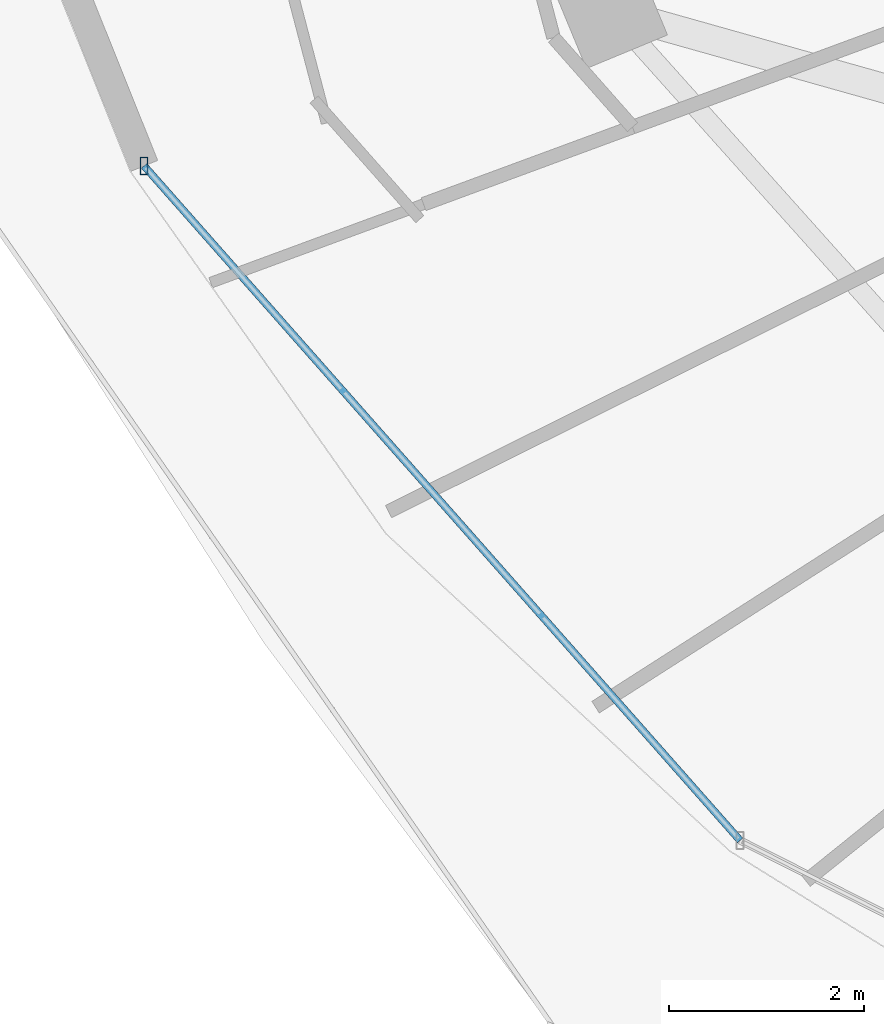
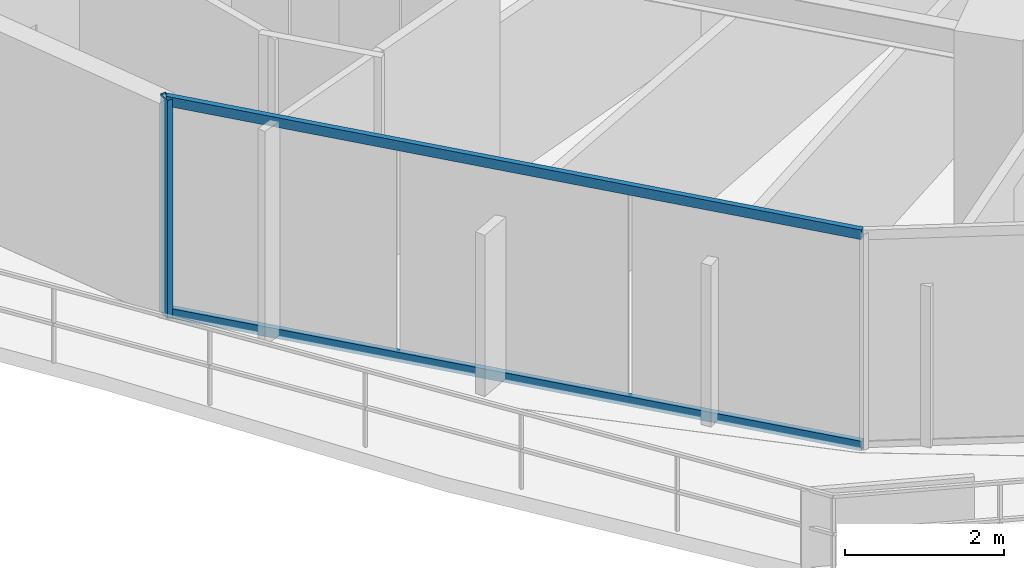
# One storey, part 3 of 33: 3 members, 1 element without a shape of its own.
"""IFC4 building model written with IfcOpenShell, lengths in metres."""

from ifc_helpers import new_model, si_unit, direction, frame, origin, origin_2d, place, context, subcontext, project, spatial, hollow_rectangle, extrude, material, material_profile, profile_set, type_object, element, aggregate, save


model = new_model("IFC4")

# Units and contexts
model_context = context("Model", 3, precision=1e-05, world=origin(), true_north=direction((0.0, 1.0)))
body_context = subcontext(model_context, "Body", "Model", "MODEL_VIEW")
ifc_project = project(units=[si_unit("LENGTHUNIT", "METRE"), si_unit("AREAUNIT", "SQUARE_METRE"), si_unit("VOLUMEUNIT", "CUBIC_METRE"), si_unit("PLANEANGLEUNIT", "RADIAN"), si_unit("MASSUNIT", "GRAM", prefix="KILO")], contexts=[model_context])

# Site, building, storey
site_placement = place(None, origin())
site = spatial("IfcSite", under=ifc_project, at=site_placement, CompositionType="ELEMENT")
building_placement = place(site_placement, origin())
building = spatial("IfcBuilding", under=site, at=building_placement, Name="Vorneva Point Tower", CompositionType="ELEMENT")
storey_placement = place(building_placement, frame((0.0, 0.0, 200.10009765625)))
storey = spatial("IfcBuildingStorey", under=building, at=storey_placement, Name="L54", CompositionType="ELEMENT", Elevation=200.10009765625)

# Curtain wall, members
ifc_material = material(Name="Pale anodised aluminium", Category="aluminium")
curtain_wall_type = type_object("IfcCurtainWallType", Name="CW-RES-SYS", PredefinedType="NOTDEFINED", material=ifc_material)
curtain_wall_placement = place(storey_placement, origin())
curtain_wall = element("IfcCurtainWall", 1, at=curtain_wall_placement, inside=storey, type_object=curtain_wall_type, Name="L54 Unitised Curtain Wall CW-L54-R03", PredefinedType="NOTDEFINED")
ifc_material_profile_1 = material_profile(ifc_material, hollow_rectangle(XDim=0.074951171875, YDim=0.179931640625, WallThickness=0.00390625, at=origin_2d()), Name="AL-MUL 180x75x4")
ifc_profile_set_1 = profile_set([ifc_material_profile_1], Name="Pale anodised aluminium")
member_type_1 = type_object("IfcMemberType", Name="CW-MUL-180", PredefinedType="MULLION", material=ifc_profile_set_1)
member_1_placement = place(storey_placement, frame((11.9189453125, 17.82958984375, -0.0400390625), z_axis=(0.0, 0.0, 1.0), x_axis=(1.0, 0.0, 0.0)))
member_1 = element("IfcMember", 2, at=member_1_placement, type_object=member_type_1, Name="CW-L54-R03 Mullion 01", PredefinedType="MULLION", context=body_context, shape_type="SweptSolid", body=[
    extrude(hollow_rectangle(XDim=0.074951171875, YDim=0.179931640625, WallThickness=0.00390625, at=origin_2d()), origin(), (0.0, 0.0, 1.0), 3.35986328125),
])
ifc_material_profile_2 = material_profile(ifc_material, hollow_rectangle(XDim=0.074951171875, YDim=0.14990234375, WallThickness=0.00390625, at=origin_2d()), Name="AL-TRN 150x75x4")
ifc_profile_set_2 = profile_set([ifc_material_profile_2], Name="Pale anodised aluminium")
member_type_2 = type_object("IfcMemberType", Name="CW-TRN-150", PredefinedType="USERDEFINED", material=ifc_profile_set_2)
member_2_placement = place(storey_placement, frame((11.9189453125, 17.82958984375, 0.02001953125), z_axis=(0.662106383869, -0.749409858782, 0.0), x_axis=(0.749409858782, 0.662106383869, 0.0)))
member_2 = element("IfcMember", 3, at=member_2_placement, type_object=member_type_2, Name="CW-L54-R03 Transom 01.1", ObjectType="TRANSOM", PredefinedType="USERDEFINED", context=body_context, shape_type="SweptSolid", body=[
    extrude(hollow_rectangle(XDim=0.074951171875, YDim=0.14990234375, WallThickness=0.00390625, at=origin_2d()), origin(), (0.0, 0.0, 1.0), 9.2421875),
])
member_3_placement = place(storey_placement, frame((11.9189453125, 17.82958984375, 3.27001953125), z_axis=(0.662106383869, -0.749409858782, 0.0), x_axis=(0.749409858782, 0.662106383869, 0.0)))
member_3 = element("IfcMember", 4, at=member_3_placement, type_object=member_type_2, Name="CW-L54-R03 Transom 01.2", ObjectType="TRANSOM", PredefinedType="USERDEFINED", context=body_context, shape_type="SweptSolid", body=[
    extrude(hollow_rectangle(XDim=0.074951171875, YDim=0.14990234375, WallThickness=0.00390625, at=origin_2d()), origin(), (0.0, 0.0, 1.0), 9.2421875),
])
aggregate(curtain_wall, [member_1, member_2, member_3])

save(model, "model.ifc")
